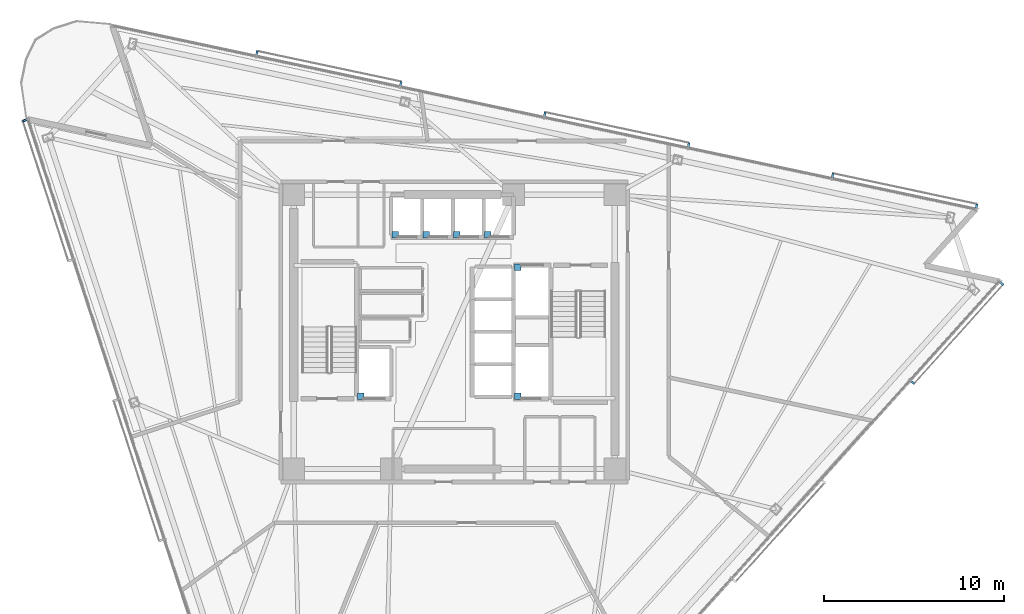
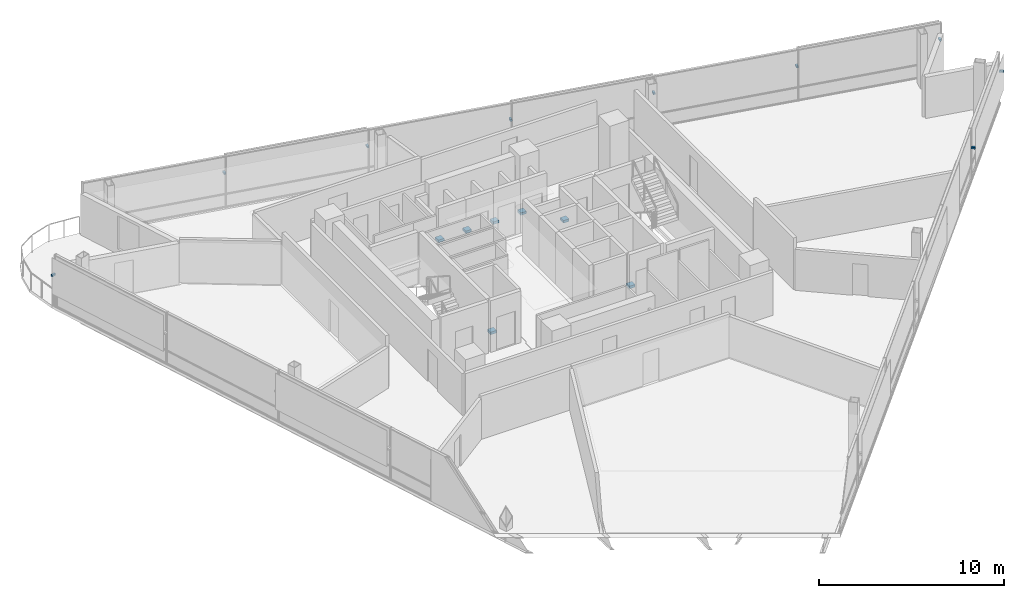
# One storey, part 14 of 17: 16 discrete accessories.
"""IFC4 building model written with IfcOpenShell, lengths in metres."""

from ifc_helpers import new_model, si_unit, direction, frame, origin, origin_2d, place, context, subcontext, project, spatial, rectangle, extrude, material, type_object, element, save


model = new_model("IFC4")

# Units and contexts
model_context = context("Model", 3, precision=1e-05, world=origin(), true_north=direction((0.0, 1.0)))
body_context = subcontext(model_context, "Body", "Model", "MODEL_VIEW")
ifc_project = project(units=[si_unit("LENGTHUNIT", "METRE"), si_unit("AREAUNIT", "SQUARE_METRE"), si_unit("VOLUMEUNIT", "CUBIC_METRE"), si_unit("PLANEANGLEUNIT", "RADIAN"), si_unit("MASSUNIT", "GRAM", prefix="KILO")], contexts=[model_context])

# Site, building, storey
site_placement = place(None, origin())
site = spatial("IfcSite", under=ifc_project, at=site_placement, CompositionType="ELEMENT")
building_placement = place(site_placement, origin())
building = spatial("IfcBuilding", under=site, at=building_placement, Name="Tharavind Bronze Gate", CompositionType="ELEMENT")
storey_placement = place(building_placement, frame((0.0, 0.0, 207.64990234375)))
storey = spatial("IfcBuildingStorey", under=building, at=storey_placement, Name="L53", CompositionType="ELEMENT", Elevation=207.64990234375)

# Discrete accessories
ifc_material_1 = material(Name="Galvanised Steel S355", Category="steel")
discrete_accessory_type_1 = type_object("IfcDiscreteAccessoryType", Name="LIFT GUIDE RAIL BRACKET", PredefinedType="BRACKET", material=ifc_material_1)
for number, where, z_axis, x_axis, name in (
    (1, (-3.280029296875, 5.3701171875, 1.1201171875), (0.0, 0.0, 1.0), (1.0, 0.0, 0.0), "Lift PL5 guide rail bracket at L53"),
    (2, (-1.5673828125, 5.3701171875, 1.1201171875), (0.0, 0.0, 1.0), (1.0, 0.0, 0.0), "Lift PL6 guide rail bracket at L53"),
    (3, (0.14501953125, 5.3701171875, 1.1201171875), (0.0, 0.0, 1.0), (1.0, 0.0, 0.0), "Lift PL7 guide rail bracket at L53"),
    (4, (1.857421875, 5.3701171875, 1.1201171875), (0.0, 0.0, 1.0), (1.0, 0.0, 0.0), "Lift PL8 guide rail bracket at L53"),
    (5, (-5.179931640625, -3.580078125, 1.1201171875), (0.0, 0.0, 1.0), (1.0, 0.0, 0.0), "Lift FFL1 guide rail bracket at L53"),
    (6, (3.5, 3.580078125, 1.1201171875), (0.0, 0.0, 1.0), (1.0, 0.0, 0.0), "Lift FFL2 guide rail bracket at L53"),
    (7, (3.5, -3.580078125, 1.1201171875), (0.0, 0.0, 1.0), (1.0, 0.0, 0.0), "Lift SVL1 guide rail bracket at L53"),
):
    element("IfcDiscreteAccessory", number, at=place(storey_placement, frame(where, z_axis=z_axis, x_axis=x_axis)), inside=storey, type_object=discrete_accessory_type_1, Name=name, PredefinedType="BRACKET", context=body_context, shape_type="SweptSolid", body=[
        extrude(rectangle(XDim=0.360107421875, YDim=0.360107421875, at=origin_2d()), origin(), (0.0, 0.0, 1.0), 0.159912109375),
    ])
ifc_material_2 = material(Name="Stainless Steel 316", Category="steel")
discrete_accessory_type_2 = type_object("IfcDiscreteAccessoryType", Name="SOLAR SCREEN STANDOFF BRACKET", PredefinedType="BRACKET", material=ifc_material_2)
for number, where, z_axis, x_axis, name in (
    (8, (-23.801513671875, 11.724853515625, 2.10009765625), (0.0, 0.0, 1.0), (0.309016994375, -0.951056516295, 0.0), "CW-L53-S1 solar screen bracket 1.1"),
    (9, (25.388671875, -2.80126953125, 2.10009765625), (0.0, 0.0, 1.0), (0.669130606359, 0.743144825477, 0.0), "CW-L53-S2 solar screen bracket 7.1"),
    (10, (30.333251953125, 2.690185546875, 2.10009765625), (0.0, 0.0, 1.0), (0.669130606359, 0.743144825477, 0.0), "CW-L53-S2 solar screen bracket 7.2"),
    (11, (28.942626953125, 6.9697265625, 2.10009765625), (0.0, 0.0, 1.0), (-0.978147600734, 0.207911690818, 0.0), "CW-L53-S3 solar screen bracket 1.1"),
    (12, (20.965087890625, 8.665283203125, 2.10009765625), (0.0, 0.0, 1.0), (-0.978147600734, 0.207911690818, 0.0), "CW-L53-S3 solar screen bracket 1.2"),
    (13, (12.98779296875, 10.361083984375, 2.10009765625), (0.0, 0.0, 1.0), (-0.978147600734, 0.207911690818, 0.0), "CW-L53-S3 solar screen bracket 3.1"),
    (14, (5.01025390625, 12.056640625, 2.10009765625), (0.0, 0.0, 1.0), (-0.978147600734, 0.207911690818, 0.0), "CW-L53-S3 solar screen bracket 3.2"),
    (15, (-2.96728515625, 13.752197265625, 2.10009765625), (0.0, 0.0, 1.0), (-0.978147600734, 0.207911690818, 0.0), "CW-L53-S3 solar screen bracket 5.1"),
    (16, (-10.94482421875, 15.447998046875, 2.10009765625), (0.0, 0.0, 1.0), (-0.978147600734, 0.207911690818, 0.0), "CW-L53-S3 solar screen bracket 5.2"),
):
    element("IfcDiscreteAccessory", number, at=place(storey_placement, frame(where, z_axis=z_axis, x_axis=x_axis)), inside=storey, type_object=discrete_accessory_type_2, Name=name, PredefinedType="BRACKET", context=body_context, shape_type="SweptSolid", body=[
        extrude(rectangle(XDim=0.1201171875, YDim=0.239990234375, at=origin_2d()), origin(), (0.0, 0.0, 1.0), 0.1201171875),
    ])

save(model, "model.ifc")
